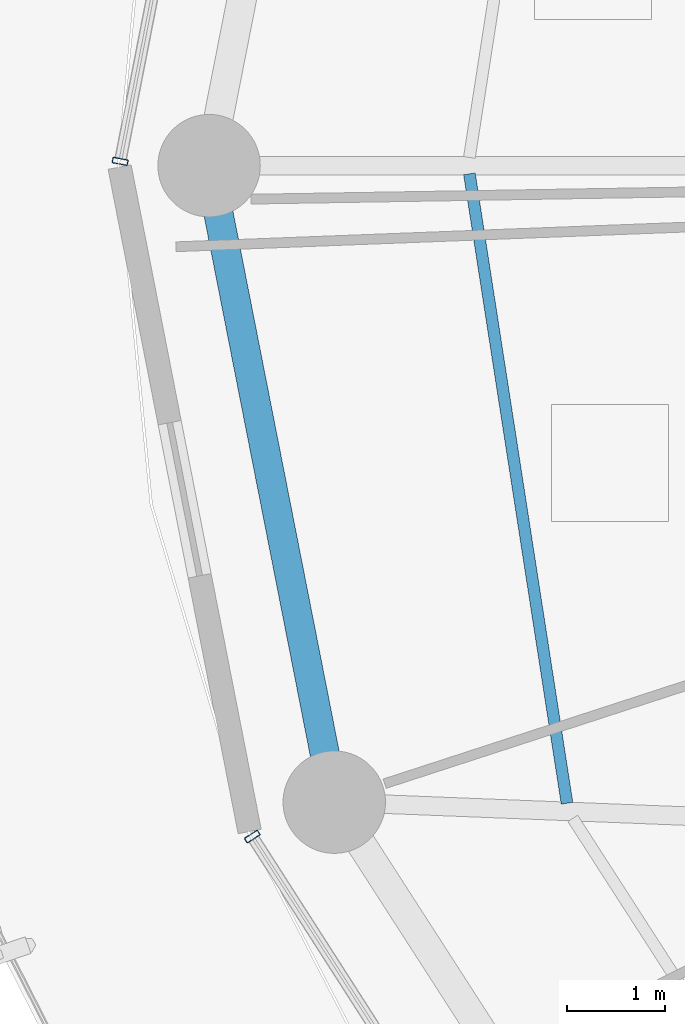
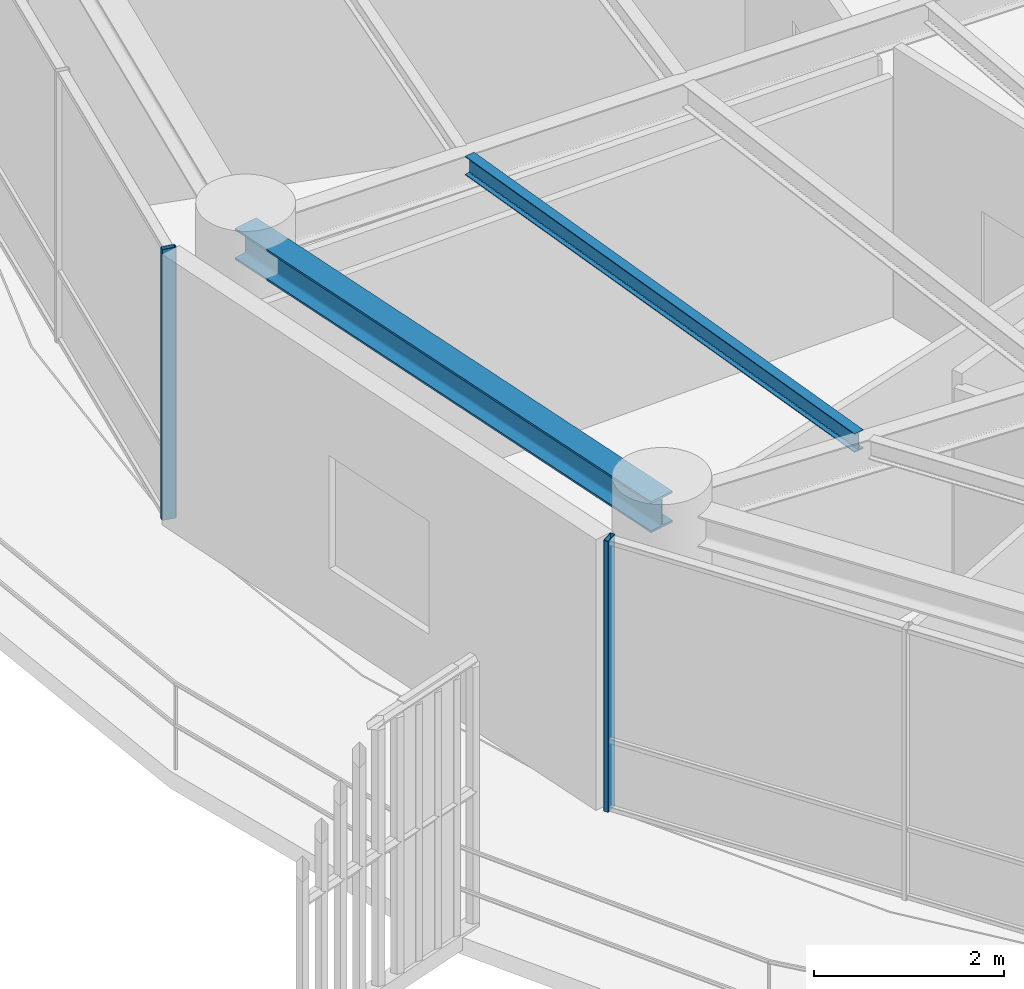
# One storey, part 6 of 30: 2 beams, 2 members, 2 elements without a shape of their own.
"""IFC4 building model written with IfcOpenShell, lengths in metres."""

from ifc_helpers import new_model, si_unit, direction, frame, origin, origin_2d, place, context, subcontext, project, spatial, hollow_rectangle, i_section, extrude, material, layer, layer_set, material_profile, profile_set, type_object, element, aggregate, save


model = new_model("IFC4")

# Units and contexts
model_context = context("Model", 3, precision=1e-05, world=origin(), true_north=direction((0.0, 1.0)))
body_context = subcontext(model_context, "Body", "Model", "MODEL_VIEW")
ifc_project = project(units=[si_unit("LENGTHUNIT", "METRE"), si_unit("AREAUNIT", "SQUARE_METRE"), si_unit("VOLUMEUNIT", "CUBIC_METRE"), si_unit("PLANEANGLEUNIT", "RADIAN"), si_unit("MASSUNIT", "GRAM", prefix="KILO")], contexts=[model_context])

# Site, building, storey
site_placement = place(None, origin())
site = spatial("IfcSite", under=ifc_project, at=site_placement, CompositionType="ELEMENT")
building_placement = place(site_placement, origin())
building = spatial("IfcBuilding", under=site, at=building_placement, Name="Kelanora Arch Commons", CompositionType="ELEMENT")
storey_placement = place(building_placement, frame((0.0, 0.0, 215.699951171875)))
storey = spatial("IfcBuildingStorey", under=building, at=storey_placement, Name="L55", CompositionType="ELEMENT", Elevation=215.699951171875)

# Beams
ifc_material_1 = material(Name="Steel S355", Category="steel")
ifc_material_profile_1 = material_profile(ifc_material_1, i_section(OverallWidth=0.1201171875, OverallDepth=0.239990234375, WebThickness=0.006103515625, FlangeThickness=0.009765625, FilletRadius=0.014892578125, at=origin_2d()), Name="IPE240")
ifc_profile_set_1 = profile_set([ifc_material_profile_1], Name="Steel S355")
beam_type_1 = type_object("IfcBeamType", Name="BM-JST-02", PredefinedType="JOIST", material=ifc_profile_set_1)
beam_1_placement = place(storey_placement, frame((55.388916015625, 57.916015625, 3.3701171875), z_axis=(0.153256756152, -0.988186402808, 0.0), x_axis=(0.988186402808, 0.153256756152, 0.0)))
element("IfcBeam", 1, at=beam_1_placement, inside=storey, type_object=beam_type_1, Name="Secondary Chord Joist BJC-18 L55", PredefinedType="JOIST", context=body_context, shape_type="SweptSolid", body=[
    extrude(i_section(OverallWidth=0.1201171875, OverallDepth=0.239990234375, WebThickness=0.006103515625, FlangeThickness=0.009765625, FilletRadius=0.014892578125, at=origin_2d()), origin(), (0.0, 0.0, 1.0), 6.52978515625),
])
ifc_material_profile_2 = material_profile(ifc_material_1, i_section(OverallWidth=0.300048828125, OverallDepth=0.39990234375, WebThickness=0.013427734375, FlangeThickness=0.02392578125, FilletRadius=0.027099609375, at=origin_2d()), Name="HEB400")
ifc_profile_set_2 = profile_set([ifc_material_profile_2], Name="Steel S355")
beam_type_2 = type_object("IfcBeamType", Name="BM-SPN-Z4", PredefinedType="SPANDREL", material=ifc_profile_set_2)
beam_2_placement = place(storey_placement, frame((52.719970703125, 58.0, 3.2900390625), z_axis=(0.192980724826, -0.981202547819, 0.0), x_axis=(0.981202547819, 0.192980724826, 0.0)))
element("IfcBeam", 2, at=beam_2_placement, inside=storey, type_object=beam_type_2, Name="Perimeter Spandrel Beam BS-18 L55", PredefinedType="SPANDREL", context=body_context, shape_type="SweptSolid", body=[
    extrude(i_section(OverallWidth=0.300048828125, OverallDepth=0.39990234375, WebThickness=0.013427734375, FlangeThickness=0.02392578125, FilletRadius=0.027099609375, at=origin_2d()), origin(), (0.0, 0.0, 1.0), 6.650634765625),
])

# Curtain wall, member
ifc_material_2 = material(Name="Terracotta ceramic-fritted low-E glass and aluminium", Category="masonry")
ifc_layer = layer(ifc_material_2, 0.175048828125)
ifc_layer_set = layer_set([ifc_layer], Name="Terracotta ceramic-fritted low-E glass and aluminium")
curtain_wall_type = type_object("IfcCurtainWallType", Name="CW-SYS-02", PredefinedType="NOTDEFINED", material=ifc_layer_set)
curtain_wall_1_placement = place(storey_placement, origin())
curtain_wall_1 = element("IfcCurtainWall", 3, at=curtain_wall_1_placement, inside=storey, type_object=curtain_wall_type, Name="Unitised Curtain Wall L55-B08", PredefinedType="NOTDEFINED")
ifc_material_3 = material(Name="Powder-coated aluminium terracotta", Category="masonry")
ifc_material_profile_3 = material_profile(ifc_material_3, hollow_rectangle(XDim=0.159912109375, YDim=0.06005859375, WallThickness=0.0048828125, InnerFilletRadius=0.0048828125, OuterFilletRadius=0.010009765625, at=origin_2d()), Name="CWM160x60")
ifc_profile_set_3 = profile_set([ifc_material_profile_3], Name="Powder-coated aluminium terracotta")
member_type = type_object("IfcMemberType", Name="CWM-STD", PredefinedType="MULLION", material=ifc_profile_set_3)
member_1_placement = place(storey_placement, frame((51.80859375, 58.044189453125, 0.0), z_axis=(0.0, 0.0, 1.0), x_axis=(0.981381438349, -0.192068926335, 0.0)))
member_1 = element("IfcMember", 4, at=member_1_placement, type_object=member_type, Name="CW-02 mullion 3", PredefinedType="MULLION", context=body_context, shape_type="SweptSolid", body=[
    extrude(hollow_rectangle(XDim=0.159912109375, YDim=0.06005859375, WallThickness=0.0048828125, InnerFilletRadius=0.0048828125, OuterFilletRadius=0.010009765625, at=origin_2d()), origin(), (0.0, 0.0, 1.0), 3.47509765625),
])
aggregate(curtain_wall_1, [member_1])

curtain_wall_2_placement = place(storey_placement, origin())
curtain_wall_2 = element("IfcCurtainWall", 5, at=curtain_wall_2_placement, inside=storey, type_object=curtain_wall_type, Name="Unitised Curtain Wall L55-B10", PredefinedType="NOTDEFINED")
member_2_placement = place(storey_placement, frame((53.1630859375, 51.121826171875, 0.0), z_axis=(0.0, 0.0, 1.0), x_axis=(0.84194757539, 0.539559338994, 0.0)))
member_2 = element("IfcMember", 6, at=member_2_placement, type_object=member_type, Name="CW-02 mullion 1", PredefinedType="MULLION", context=body_context, shape_type="SweptSolid", body=[
    extrude(hollow_rectangle(XDim=0.159912109375, YDim=0.06005859375, WallThickness=0.0048828125, InnerFilletRadius=0.0048828125, OuterFilletRadius=0.010009765625, at=origin_2d()), origin(), (0.0, 0.0, 1.0), 3.47509765625),
])
aggregate(curtain_wall_2, [member_2])

save(model, "model.ifc")
